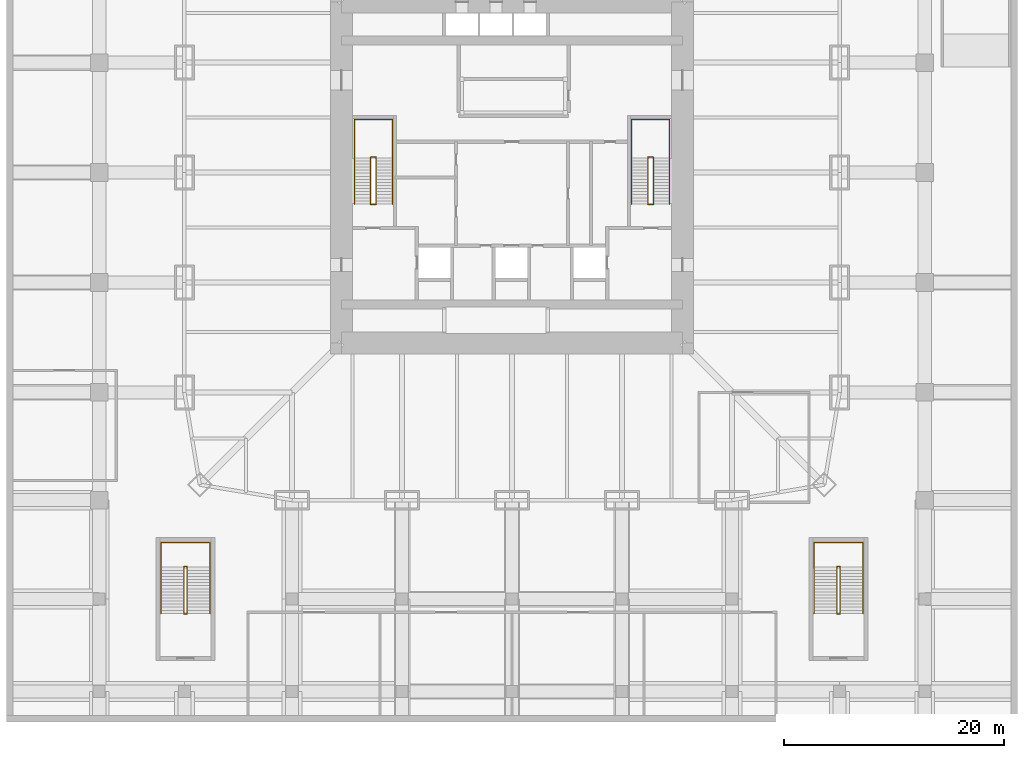
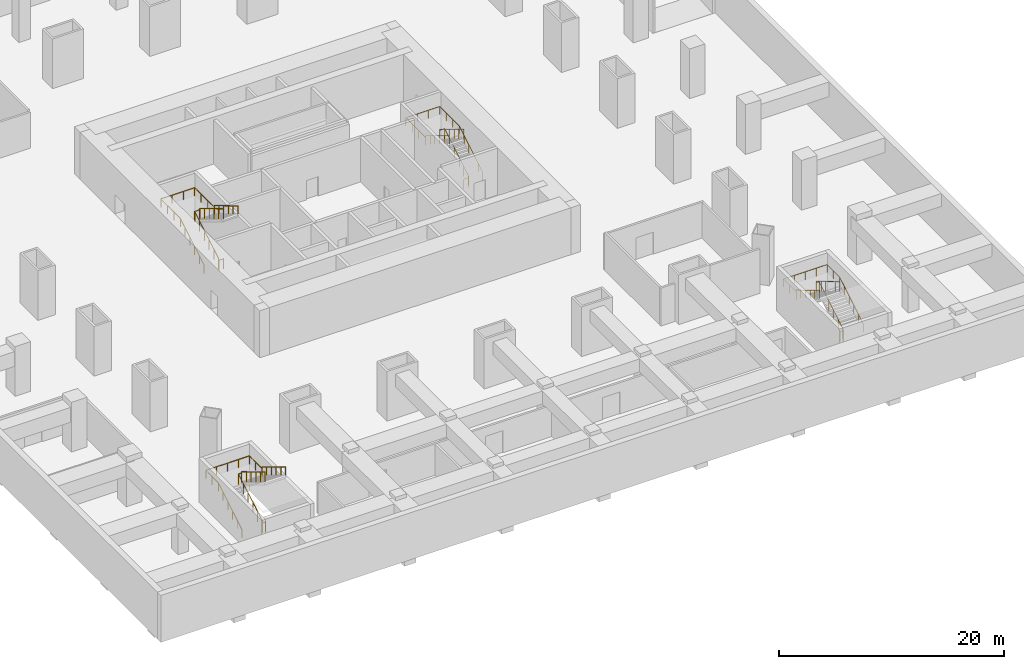
# One storey, part 11 of 12: 8 railings.
"""IFC4 building model written with IfcOpenShell, lengths in metres."""

from ifc_helpers import new_model, si_unit, direction, frame, origin, origin_2d, place, context, subcontext, project, spatial, circle, extrude, material, type_object, element, save


model = new_model("IFC4")

# Units and contexts
model_context = context("Model", 3, precision=1e-05, world=origin(), true_north=direction((0.0, 1.0)))
body_context = subcontext(model_context, "Body", "Model", "MODEL_VIEW")
ifc_project = project(units=[si_unit("LENGTHUNIT", "METRE"), si_unit("AREAUNIT", "SQUARE_METRE"), si_unit("VOLUMEUNIT", "CUBIC_METRE"), si_unit("PLANEANGLEUNIT", "RADIAN"), si_unit("MASSUNIT", "GRAM", prefix="KILO")], contexts=[model_context])

# Site, building, storey
site_placement = place(None, origin())
site = spatial("IfcSite", under=ifc_project, at=site_placement, CompositionType="ELEMENT")
building_placement = place(site_placement, origin())
building = spatial("IfcBuilding", under=site, at=building_placement, Name="Khuree Lantern Residences", CompositionType="ELEMENT")
storey_placement = place(building_placement, frame((0.0, 0.0, -5.39990234375)))
storey = spatial("IfcBuildingStorey", under=building, at=storey_placement, Name="B1", CompositionType="ELEMENT", Elevation=-5.39990234375)

# Railings
ifc_material = material(Name="Steel S355", Category="steel")
railing_type_1 = type_object("IfcRailingType", Name="STAIR GUARD G1 1100", PredefinedType="GUARDRAIL", material=ifc_material)
railing_1_placement = place(storey_placement, frame((-12.35009765625, -2.909912109375, 0.0)))
element("IfcRailing", 1, at=railing_1_placement, inside=storey, type_object=railing_type_1, Name="Stair ST1 guard", PredefinedType="GUARDRAIL", context=body_context, shape_type="SweptSolid", body=[
    extrude(circle(Radius=0.02392578125, at=origin_2d()), frame((0.0, 0.0, 1.076171875), z_axis=(-1.0, 0.0, 0.0), x_axis=(0.0, -1.0, 0.0)), (0.0, 0.0, 1.0), 0.5),
    extrude(circle(Radius=0.02392578125, at=origin_2d()), frame((-0.5, 0.0, 1.076171875), z_axis=(0.0, 0.283143051297, 0.95907768846), x_axis=(-1.0, 0.0, 0.0)), (0.0, 0.0, 1.0), 0.17578125),
    extrude(circle(Radius=0.02392578125, at=origin_2d()), frame((-0.5, 0.0498046875, 1.24462890625), z_axis=(0.0, 0.856489757249, 0.516164020179), x_axis=(-1.0, 0.0, 0.0)), (0.0, 0.0, 1.0), 4.904052734375),
    extrude(circle(Radius=0.02392578125, at=origin_2d()), frame((-0.5, 4.25, 3.77587890625), z_axis=(0.0, 1.0, 0.0), x_axis=(-1.0, 0.0, 0.0)), (0.0, 0.0, 1.0), 0.0498046875),
    extrude(circle(Radius=0.02392578125, at=origin_2d()), frame((-0.5, 4.2998046875, 3.77587890625), z_axis=(1.0, 0.0, 0.0), x_axis=(0.0, 1.0, 0.0)), (0.0, 0.0, 1.0), 0.5),
    extrude(circle(Radius=0.02392578125, at=origin_2d()), frame((0.0, 4.2998046875, 3.77587890625), z_axis=(0.0, -0.283143051297, 0.95907768846), x_axis=(1.0, 0.0, 0.0)), (0.0, 0.0, 1.0), 0.17578125),
    extrude(circle(Radius=0.02392578125, at=origin_2d()), frame((0.0, 4.25, 3.94482421875), z_axis=(0.0, -0.856489757249, 0.516164020179), x_axis=(1.0, 0.0, 0.0)), (0.0, 0.0, 1.0), 4.904052734375),
    extrude(circle(Radius=0.02099609375, at=origin_2d()), origin(), (0.0, 0.0, 1.0), 1.052001953125),
    extrude(circle(Radius=0.02099609375, at=origin_2d()), frame((-0.5, 0.0, 0.0)), (0.0, 0.0, 1.0), 1.052001953125),
    extrude(circle(Radius=0.02099609375, at=origin_2d()), frame((-0.5, 0.0498046875, 0.168701171875)), (0.0, 0.0, 1.0), 1.052001953125),
    extrude(circle(Radius=0.02099609375, at=origin_2d()), frame((-0.5, 0.889892578125, 0.675048828125)), (0.0, 0.0, 1.0), 1.052001953125),
    extrude(circle(Radius=0.02099609375, at=origin_2d()), frame((-0.5, 1.72998046875, 1.18115234375)), (0.0, 0.0, 1.0), 1.052001953125),
    extrude(circle(Radius=0.02099609375, at=origin_2d()), frame((-0.5, 2.56982421875, 1.6875)), (0.0, 0.0, 1.0), 1.052001953125),
    extrude(circle(Radius=0.02099609375, at=origin_2d()), frame((-0.5, 3.409912109375, 2.193603515625)), (0.0, 0.0, 1.0), 1.052001953125),
    extrude(circle(Radius=0.02099609375, at=origin_2d()), frame((-0.5, 4.25, 2.699951171875)), (0.0, 0.0, 1.0), 1.052001953125),
    extrude(circle(Radius=0.02099609375, at=origin_2d()), frame((-0.5, 4.2998046875, 2.699951171875)), (0.0, 0.0, 1.0), 1.052001953125),
    extrude(circle(Radius=0.02099609375, at=origin_2d()), frame((0.0, 4.2998046875, 2.699951171875)), (0.0, 0.0, 1.0), 1.052001953125),
    extrude(circle(Radius=0.02099609375, at=origin_2d()), frame((0.0, 4.25, 2.86865234375)), (0.0, 0.0, 1.0), 1.052001953125),
    extrude(circle(Radius=0.02099609375, at=origin_2d()), frame((0.0, 3.409912109375, 3.375)), (0.0, 0.0, 1.0), 1.052001953125),
    extrude(circle(Radius=0.02099609375, at=origin_2d()), frame((0.0, 2.56982421875, 3.881103515625)), (0.0, 0.0, 1.0), 1.052001953125),
    extrude(circle(Radius=0.02099609375, at=origin_2d()), frame((0.0, 1.72998046875, 4.387451171875)), (0.0, 0.0, 1.0), 1.052001953125),
    extrude(circle(Radius=0.02099609375, at=origin_2d()), frame((0.0, 0.889892578125, 4.8935546875)), (0.0, 0.0, 1.0), 1.052001953125),
    extrude(circle(Radius=0.02099609375, at=origin_2d()), frame((0.0, 0.0498046875, 5.39990234375)), (0.0, 0.0, 1.0), 1.052001953125),
])
railing_2_placement = place(storey_placement, frame((12.35009765625, -2.909912109375, 0.0)))
element("IfcRailing", 2, at=railing_2_placement, inside=storey, type_object=railing_type_1, Name="Stair ST2 guard", PredefinedType="GUARDRAIL", context=body_context, shape_type="SweptSolid", body=[
    extrude(circle(Radius=0.02392578125, at=origin_2d()), frame((0.0, 0.0, 1.076171875), z_axis=(1.0, 0.0, 0.0), x_axis=(0.0, 1.0, 0.0)), (0.0, 0.0, 1.0), 0.5),
    extrude(circle(Radius=0.02392578125, at=origin_2d()), frame((0.5, 0.0, 1.076171875), z_axis=(0.0, 0.283143051297, 0.95907768846), x_axis=(-1.0, 0.0, 0.0)), (0.0, 0.0, 1.0), 0.17578125),
    extrude(circle(Radius=0.02392578125, at=origin_2d()), frame((0.5, 0.0498046875, 1.24462890625), z_axis=(0.0, 0.856489757249, 0.516164020179), x_axis=(-1.0, 0.0, 0.0)), (0.0, 0.0, 1.0), 4.904052734375),
    extrude(circle(Radius=0.02392578125, at=origin_2d()), frame((0.5, 4.25, 3.77587890625), z_axis=(0.0, 1.0, 0.0), x_axis=(-1.0, 0.0, 0.0)), (0.0, 0.0, 1.0), 0.0498046875),
    extrude(circle(Radius=0.02392578125, at=origin_2d()), frame((0.5, 4.2998046875, 3.77587890625), z_axis=(-1.0, 0.0, 0.0), x_axis=(0.0, -1.0, 0.0)), (0.0, 0.0, 1.0), 0.5),
    extrude(circle(Radius=0.02392578125, at=origin_2d()), frame((0.0, 4.2998046875, 3.77587890625), z_axis=(0.0, -0.283143051297, 0.95907768846), x_axis=(1.0, 0.0, 0.0)), (0.0, 0.0, 1.0), 0.17578125),
    extrude(circle(Radius=0.02392578125, at=origin_2d()), frame((0.0, 4.25, 3.94482421875), z_axis=(0.0, -0.856489757249, 0.516164020179), x_axis=(1.0, 0.0, 0.0)), (0.0, 0.0, 1.0), 4.904052734375),
    extrude(circle(Radius=0.02099609375, at=origin_2d()), origin(), (0.0, 0.0, 1.0), 1.052001953125),
    extrude(circle(Radius=0.02099609375, at=origin_2d()), frame((0.5, 0.0, 0.0)), (0.0, 0.0, 1.0), 1.052001953125),
    extrude(circle(Radius=0.02099609375, at=origin_2d()), frame((0.5, 0.0498046875, 0.168701171875)), (0.0, 0.0, 1.0), 1.052001953125),
    extrude(circle(Radius=0.02099609375, at=origin_2d()), frame((0.5, 0.889892578125, 0.675048828125)), (0.0, 0.0, 1.0), 1.052001953125),
    extrude(circle(Radius=0.02099609375, at=origin_2d()), frame((0.5, 1.72998046875, 1.18115234375)), (0.0, 0.0, 1.0), 1.052001953125),
    extrude(circle(Radius=0.02099609375, at=origin_2d()), frame((0.5, 2.56982421875, 1.6875)), (0.0, 0.0, 1.0), 1.052001953125),
    extrude(circle(Radius=0.02099609375, at=origin_2d()), frame((0.5, 3.409912109375, 2.193603515625)), (0.0, 0.0, 1.0), 1.052001953125),
    extrude(circle(Radius=0.02099609375, at=origin_2d()), frame((0.5, 4.25, 2.699951171875)), (0.0, 0.0, 1.0), 1.052001953125),
    extrude(circle(Radius=0.02099609375, at=origin_2d()), frame((0.5, 4.2998046875, 2.699951171875)), (0.0, 0.0, 1.0), 1.052001953125),
    extrude(circle(Radius=0.02099609375, at=origin_2d()), frame((0.0, 4.2998046875, 2.699951171875)), (0.0, 0.0, 1.0), 1.052001953125),
    extrude(circle(Radius=0.02099609375, at=origin_2d()), frame((0.0, 4.25, 2.86865234375)), (0.0, 0.0, 1.0), 1.052001953125),
    extrude(circle(Radius=0.02099609375, at=origin_2d()), frame((0.0, 3.409912109375, 3.375)), (0.0, 0.0, 1.0), 1.052001953125),
    extrude(circle(Radius=0.02099609375, at=origin_2d()), frame((0.0, 2.56982421875, 3.881103515625)), (0.0, 0.0, 1.0), 1.052001953125),
    extrude(circle(Radius=0.02099609375, at=origin_2d()), frame((0.0, 1.72998046875, 4.387451171875)), (0.0, 0.0, 1.0), 1.052001953125),
    extrude(circle(Radius=0.02099609375, at=origin_2d()), frame((0.0, 0.889892578125, 4.8935546875)), (0.0, 0.0, 1.0), 1.052001953125),
    extrude(circle(Radius=0.02099609375, at=origin_2d()), frame((0.0, 0.0498046875, 5.39990234375)), (0.0, 0.0, 1.0), 1.052001953125),
])
railing_3_placement = place(storey_placement, frame((-29.550048828125, -40.14990234375, 0.0)))
element("IfcRailing", 3, at=railing_3_placement, inside=storey, type_object=railing_type_1, Name="Stair ST5 guard", PredefinedType="GUARDRAIL", context=body_context, shape_type="SweptSolid", body=[
    extrude(circle(Radius=0.02392578125, at=origin_2d()), frame((0.0, 0.0, 1.076171875), z_axis=(-1.0, 0.0, 0.0), x_axis=(0.0, -1.0, 0.0)), (0.0, 0.0, 1.0), 0.300048828125),
    extrude(circle(Radius=0.02392578125, at=origin_2d()), frame((-0.300048828125, 0.0, 1.076171875), z_axis=(0.0, 0.283143051297, 0.95907768846), x_axis=(-1.0, 0.0, 0.0)), (0.0, 0.0, 1.0), 0.17578125),
    extrude(circle(Radius=0.02392578125, at=origin_2d()), frame((-0.300048828125, 0.0498046875, 1.24462890625), z_axis=(0.0, 0.856489757249, 0.516164020179), x_axis=(-1.0, 0.0, 0.0)), (0.0, 0.0, 1.0), 4.904052734375),
    extrude(circle(Radius=0.02392578125, at=origin_2d()), frame((-0.300048828125, 4.25, 3.77587890625), z_axis=(0.0, 1.0, 0.0), x_axis=(-1.0, 0.0, 0.0)), (0.0, 0.0, 1.0), 0.0498046875),
    extrude(circle(Radius=0.02392578125, at=origin_2d()), frame((-0.300048828125, 4.2998046875, 3.77587890625), z_axis=(1.0, 0.0, 0.0), x_axis=(0.0, 1.0, 0.0)), (0.0, 0.0, 1.0), 0.300048828125),
    extrude(circle(Radius=0.02392578125, at=origin_2d()), frame((0.0, 4.2998046875, 3.77587890625), z_axis=(0.0, -0.283143051297, 0.95907768846), x_axis=(1.0, 0.0, 0.0)), (0.0, 0.0, 1.0), 0.17578125),
    extrude(circle(Radius=0.02392578125, at=origin_2d()), frame((0.0, 4.25, 3.94482421875), z_axis=(0.0, -0.856489757249, 0.516164020179), x_axis=(1.0, 0.0, 0.0)), (0.0, 0.0, 1.0), 4.904052734375),
    extrude(circle(Radius=0.02099609375, at=origin_2d()), origin(), (0.0, 0.0, 1.0), 1.052001953125),
    extrude(circle(Radius=0.02099609375, at=origin_2d()), frame((-0.300048828125, 0.0, 0.0)), (0.0, 0.0, 1.0), 1.052001953125),
    extrude(circle(Radius=0.02099609375, at=origin_2d()), frame((-0.300048828125, 0.0498046875, 0.168701171875)), (0.0, 0.0, 1.0), 1.052001953125),
    extrude(circle(Radius=0.02099609375, at=origin_2d()), frame((-0.300048828125, 0.889892578125, 0.675048828125)), (0.0, 0.0, 1.0), 1.052001953125),
    extrude(circle(Radius=0.02099609375, at=origin_2d()), frame((-0.300048828125, 1.72998046875, 1.18115234375)), (0.0, 0.0, 1.0), 1.052001953125),
    extrude(circle(Radius=0.02099609375, at=origin_2d()), frame((-0.300048828125, 2.56982421875, 1.6875)), (0.0, 0.0, 1.0), 1.052001953125),
    extrude(circle(Radius=0.02099609375, at=origin_2d()), frame((-0.300048828125, 3.409912109375, 2.193603515625)), (0.0, 0.0, 1.0), 1.052001953125),
    extrude(circle(Radius=0.02099609375, at=origin_2d()), frame((-0.300048828125, 4.25, 2.699951171875)), (0.0, 0.0, 1.0), 1.052001953125),
    extrude(circle(Radius=0.02099609375, at=origin_2d()), frame((-0.300048828125, 4.2998046875, 2.699951171875)), (0.0, 0.0, 1.0), 1.052001953125),
    extrude(circle(Radius=0.02099609375, at=origin_2d()), frame((0.0, 4.2998046875, 2.699951171875)), (0.0, 0.0, 1.0), 1.052001953125),
    extrude(circle(Radius=0.02099609375, at=origin_2d()), frame((0.0, 4.25, 2.86865234375)), (0.0, 0.0, 1.0), 1.052001953125),
    extrude(circle(Radius=0.02099609375, at=origin_2d()), frame((0.0, 3.409912109375, 3.375)), (0.0, 0.0, 1.0), 1.052001953125),
    extrude(circle(Radius=0.02099609375, at=origin_2d()), frame((0.0, 2.56982421875, 3.881103515625)), (0.0, 0.0, 1.0), 1.052001953125),
    extrude(circle(Radius=0.02099609375, at=origin_2d()), frame((0.0, 1.72998046875, 4.387451171875)), (0.0, 0.0, 1.0), 1.052001953125),
    extrude(circle(Radius=0.02099609375, at=origin_2d()), frame((0.0, 0.889892578125, 4.8935546875)), (0.0, 0.0, 1.0), 1.052001953125),
    extrude(circle(Radius=0.02099609375, at=origin_2d()), frame((0.0, 0.0498046875, 5.39990234375)), (0.0, 0.0, 1.0), 1.052001953125),
])
railing_4_placement = place(storey_placement, frame((29.550048828125, -40.14990234375, 0.0)))
element("IfcRailing", 4, at=railing_4_placement, inside=storey, type_object=railing_type_1, Name="Stair ST6 guard", PredefinedType="GUARDRAIL", context=body_context, shape_type="SweptSolid", body=[
    extrude(circle(Radius=0.02392578125, at=origin_2d()), frame((0.0, 0.0, 1.076171875), z_axis=(1.0, 0.0, 0.0), x_axis=(0.0, 1.0, 0.0)), (0.0, 0.0, 1.0), 0.300048828125),
    extrude(circle(Radius=0.02392578125, at=origin_2d()), frame((0.300048828125, 0.0, 1.076171875), z_axis=(0.0, 0.283143051297, 0.95907768846), x_axis=(-1.0, 0.0, 0.0)), (0.0, 0.0, 1.0), 0.17578125),
    extrude(circle(Radius=0.02392578125, at=origin_2d()), frame((0.300048828125, 0.0498046875, 1.24462890625), z_axis=(0.0, 0.856489757249, 0.516164020179), x_axis=(-1.0, 0.0, 0.0)), (0.0, 0.0, 1.0), 4.904052734375),
    extrude(circle(Radius=0.02392578125, at=origin_2d()), frame((0.300048828125, 4.25, 3.77587890625), z_axis=(0.0, 1.0, 0.0), x_axis=(-1.0, 0.0, 0.0)), (0.0, 0.0, 1.0), 0.0498046875),
    extrude(circle(Radius=0.02392578125, at=origin_2d()), frame((0.300048828125, 4.2998046875, 3.77587890625), z_axis=(-1.0, 0.0, 0.0), x_axis=(0.0, -1.0, 0.0)), (0.0, 0.0, 1.0), 0.300048828125),
    extrude(circle(Radius=0.02392578125, at=origin_2d()), frame((0.0, 4.2998046875, 3.77587890625), z_axis=(0.0, -0.283143051297, 0.95907768846), x_axis=(1.0, 0.0, 0.0)), (0.0, 0.0, 1.0), 0.17578125),
    extrude(circle(Radius=0.02392578125, at=origin_2d()), frame((0.0, 4.25, 3.94482421875), z_axis=(0.0, -0.856489757249, 0.516164020179), x_axis=(1.0, 0.0, 0.0)), (0.0, 0.0, 1.0), 4.904052734375),
    extrude(circle(Radius=0.02099609375, at=origin_2d()), origin(), (0.0, 0.0, 1.0), 1.052001953125),
    extrude(circle(Radius=0.02099609375, at=origin_2d()), frame((0.300048828125, 0.0, 0.0)), (0.0, 0.0, 1.0), 1.052001953125),
    extrude(circle(Radius=0.02099609375, at=origin_2d()), frame((0.300048828125, 0.0498046875, 0.168701171875)), (0.0, 0.0, 1.0), 1.052001953125),
    extrude(circle(Radius=0.02099609375, at=origin_2d()), frame((0.300048828125, 0.889892578125, 0.675048828125)), (0.0, 0.0, 1.0), 1.052001953125),
    extrude(circle(Radius=0.02099609375, at=origin_2d()), frame((0.300048828125, 1.72998046875, 1.18115234375)), (0.0, 0.0, 1.0), 1.052001953125),
    extrude(circle(Radius=0.02099609375, at=origin_2d()), frame((0.300048828125, 2.56982421875, 1.6875)), (0.0, 0.0, 1.0), 1.052001953125),
    extrude(circle(Radius=0.02099609375, at=origin_2d()), frame((0.300048828125, 3.409912109375, 2.193603515625)), (0.0, 0.0, 1.0), 1.052001953125),
    extrude(circle(Radius=0.02099609375, at=origin_2d()), frame((0.300048828125, 4.25, 2.699951171875)), (0.0, 0.0, 1.0), 1.052001953125),
    extrude(circle(Radius=0.02099609375, at=origin_2d()), frame((0.300048828125, 4.2998046875, 2.699951171875)), (0.0, 0.0, 1.0), 1.052001953125),
    extrude(circle(Radius=0.02099609375, at=origin_2d()), frame((0.0, 4.2998046875, 2.699951171875)), (0.0, 0.0, 1.0), 1.052001953125),
    extrude(circle(Radius=0.02099609375, at=origin_2d()), frame((0.0, 4.25, 2.86865234375)), (0.0, 0.0, 1.0), 1.052001953125),
    extrude(circle(Radius=0.02099609375, at=origin_2d()), frame((0.0, 3.409912109375, 3.375)), (0.0, 0.0, 1.0), 1.052001953125),
    extrude(circle(Radius=0.02099609375, at=origin_2d()), frame((0.0, 2.56982421875, 3.881103515625)), (0.0, 0.0, 1.0), 1.052001953125),
    extrude(circle(Radius=0.02099609375, at=origin_2d()), frame((0.0, 1.72998046875, 4.387451171875)), (0.0, 0.0, 1.0), 1.052001953125),
    extrude(circle(Radius=0.02099609375, at=origin_2d()), frame((0.0, 0.889892578125, 4.8935546875)), (0.0, 0.0, 1.0), 1.052001953125),
    extrude(circle(Radius=0.02099609375, at=origin_2d()), frame((0.0, 0.0498046875, 5.39990234375)), (0.0, 0.0, 1.0), 1.052001953125),
])
railing_type_2 = type_object("IfcRailingType", Name="STAIR HANDRAIL H1 900", PredefinedType="HANDRAIL", material=ifc_material)
railing_5_placement = place(storey_placement, frame((-14.340087890625, -2.860107421875, 0.168701171875)))
element("IfcRailing", 5, at=railing_5_placement, inside=storey, type_object=railing_type_2, Name="Stair ST1 handrail", PredefinedType="HANDRAIL", context=body_context, shape_type="SweptSolid", body=[
    extrude(circle(Radius=0.02392578125, at=origin_2d()), frame((0.0, 0.0, 0.8759765625), z_axis=(0.0, 0.856489757249, 0.516164020179), x_axis=(-1.0, 0.0, 0.0)), (0.0, 0.0, 1.0), 4.904052734375),
    extrude(circle(Radius=0.02392578125, at=origin_2d()), frame((0.0, 4.2001953125, 3.4072265625), z_axis=(0.0, 1.0, 0.0), x_axis=(-1.0, 0.0, 0.0)), (0.0, 0.0, 1.0), 3.5),
    extrude(circle(Radius=0.02392578125, at=origin_2d()), frame((0.0, 7.7001953125, 3.4072265625), z_axis=(1.0, 0.0, 0.0), x_axis=(0.0, 1.0, 0.0)), (0.0, 0.0, 1.0), 3.47998046875),
    extrude(circle(Radius=0.02392578125, at=origin_2d()), frame((3.47998046875, 7.7001953125, 3.4072265625), z_axis=(0.0, -1.0, 0.0), x_axis=(1.0, 0.0, 0.0)), (0.0, 0.0, 1.0), 3.5),
    extrude(circle(Radius=0.02392578125, at=origin_2d()), frame((3.47998046875, 4.2001953125, 3.4072265625), z_axis=(0.0, 0.0, 1.0), x_axis=(1.0, 0.0, 0.0)), (0.0, 0.0, 1.0), 0.168701171875),
    extrude(circle(Radius=0.02392578125, at=origin_2d()), frame((3.47998046875, 4.2001953125, 3.57568359375), z_axis=(0.0, -0.856489757249, 0.516164020179), x_axis=(1.0, 0.0, 0.0)), (0.0, 0.0, 1.0), 4.904052734375),
    extrude(circle(Radius=0.02099609375, at=origin_2d()), origin(), (0.0, 0.0, 1.0), 0.851806640625),
    extrude(circle(Radius=0.02099609375, at=origin_2d()), frame((0.0, 0.840087890625, 0.50634765625)), (0.0, 0.0, 1.0), 0.851806640625),
    extrude(circle(Radius=0.02099609375, at=origin_2d()), frame((0.0, 1.68017578125, 1.012451171875)), (0.0, 0.0, 1.0), 0.851806640625),
    extrude(circle(Radius=0.02099609375, at=origin_2d()), frame((0.0, 2.52001953125, 1.518798828125)), (0.0, 0.0, 1.0), 0.851806640625),
    extrude(circle(Radius=0.02099609375, at=origin_2d()), frame((0.0, 3.360107421875, 2.02490234375)), (0.0, 0.0, 1.0), 0.851806640625),
    extrude(circle(Radius=0.02099609375, at=origin_2d()), frame((0.0, 4.2001953125, 2.53125)), (0.0, 0.0, 1.0), 0.851806640625),
    extrude(circle(Radius=0.02099609375, at=origin_2d()), frame((0.0, 5.366943359375, 2.53125)), (0.0, 0.0, 1.0), 0.851806640625),
    extrude(circle(Radius=0.02099609375, at=origin_2d()), frame((0.0, 6.533447265625, 2.53125)), (0.0, 0.0, 1.0), 0.851806640625),
    extrude(circle(Radius=0.02099609375, at=origin_2d()), frame((0.0, 7.7001953125, 2.53125)), (0.0, 0.0, 1.0), 0.851806640625),
    extrude(circle(Radius=0.02099609375, at=origin_2d()), frame((1.159912109375, 7.7001953125, 2.53125)), (0.0, 0.0, 1.0), 0.851806640625),
    extrude(circle(Radius=0.02099609375, at=origin_2d()), frame((2.320068359375, 7.7001953125, 2.53125)), (0.0, 0.0, 1.0), 0.851806640625),
    extrude(circle(Radius=0.02099609375, at=origin_2d()), frame((3.47998046875, 7.7001953125, 2.53125)), (0.0, 0.0, 1.0), 0.851806640625),
    extrude(circle(Radius=0.02099609375, at=origin_2d()), frame((3.47998046875, 6.533447265625, 2.53125)), (0.0, 0.0, 1.0), 0.851806640625),
    extrude(circle(Radius=0.02099609375, at=origin_2d()), frame((3.47998046875, 5.366943359375, 2.53125)), (0.0, 0.0, 1.0), 0.851806640625),
    extrude(circle(Radius=0.02099609375, at=origin_2d()), frame((3.47998046875, 4.2001953125, 2.53125)), (0.0, 0.0, 1.0), 0.851806640625),
    extrude(circle(Radius=0.02099609375, at=origin_2d()), frame((3.47998046875, 4.2001953125, 2.699951171875)), (0.0, 0.0, 1.0), 0.851806640625),
    extrude(circle(Radius=0.02099609375, at=origin_2d()), frame((3.47998046875, 3.360107421875, 3.206298828125)), (0.0, 0.0, 1.0), 0.851806640625),
    extrude(circle(Radius=0.02099609375, at=origin_2d()), frame((3.47998046875, 2.52001953125, 3.71240234375)), (0.0, 0.0, 1.0), 0.851806640625),
    extrude(circle(Radius=0.02099609375, at=origin_2d()), frame((3.47998046875, 1.68017578125, 4.21875)), (0.0, 0.0, 1.0), 0.851806640625),
    extrude(circle(Radius=0.02099609375, at=origin_2d()), frame((3.47998046875, 0.840087890625, 4.724853515625)), (0.0, 0.0, 1.0), 0.851806640625),
    extrude(circle(Radius=0.02099609375, at=origin_2d()), frame((3.47998046875, 0.0, 5.231201171875)), (0.0, 0.0, 1.0), 0.851806640625),
])
railing_6_placement = place(storey_placement, frame((14.340087890625, -2.860107421875, 0.168701171875)))
element("IfcRailing", 6, at=railing_6_placement, inside=storey, type_object=railing_type_2, Name="Stair ST2 handrail", PredefinedType="HANDRAIL", context=body_context, shape_type="SweptSolid", body=[
    extrude(circle(Radius=0.02392578125, at=origin_2d()), frame((0.0, 0.0, 0.8759765625), z_axis=(0.0, 0.856489757249, 0.516164020179), x_axis=(-1.0, 0.0, 0.0)), (0.0, 0.0, 1.0), 4.904052734375),
    extrude(circle(Radius=0.02392578125, at=origin_2d()), frame((0.0, 4.2001953125, 3.4072265625), z_axis=(0.0, 1.0, 0.0), x_axis=(-1.0, 0.0, 0.0)), (0.0, 0.0, 1.0), 3.5),
    extrude(circle(Radius=0.02392578125, at=origin_2d()), frame((0.0, 7.7001953125, 3.4072265625), z_axis=(-1.0, 0.0, 0.0), x_axis=(0.0, -1.0, 0.0)), (0.0, 0.0, 1.0), 3.47998046875),
    extrude(circle(Radius=0.02392578125, at=origin_2d()), frame((-3.47998046875, 7.7001953125, 3.4072265625), z_axis=(0.0, -1.0, 0.0), x_axis=(1.0, 0.0, 0.0)), (0.0, 0.0, 1.0), 3.5),
    extrude(circle(Radius=0.02392578125, at=origin_2d()), frame((-3.47998046875, 4.2001953125, 3.4072265625), z_axis=(0.0, 0.0, 1.0), x_axis=(1.0, 0.0, 0.0)), (0.0, 0.0, 1.0), 0.168701171875),
    extrude(circle(Radius=0.02392578125, at=origin_2d()), frame((-3.47998046875, 4.2001953125, 3.57568359375), z_axis=(0.0, -0.856489757249, 0.516164020179), x_axis=(1.0, 0.0, 0.0)), (0.0, 0.0, 1.0), 4.904052734375),
    extrude(circle(Radius=0.02099609375, at=origin_2d()), origin(), (0.0, 0.0, 1.0), 0.851806640625),
    extrude(circle(Radius=0.02099609375, at=origin_2d()), frame((0.0, 0.840087890625, 0.50634765625)), (0.0, 0.0, 1.0), 0.851806640625),
    extrude(circle(Radius=0.02099609375, at=origin_2d()), frame((0.0, 1.68017578125, 1.012451171875)), (0.0, 0.0, 1.0), 0.851806640625),
    extrude(circle(Radius=0.02099609375, at=origin_2d()), frame((0.0, 2.52001953125, 1.518798828125)), (0.0, 0.0, 1.0), 0.851806640625),
    extrude(circle(Radius=0.02099609375, at=origin_2d()), frame((0.0, 3.360107421875, 2.02490234375)), (0.0, 0.0, 1.0), 0.851806640625),
    extrude(circle(Radius=0.02099609375, at=origin_2d()), frame((0.0, 4.2001953125, 2.53125)), (0.0, 0.0, 1.0), 0.851806640625),
    extrude(circle(Radius=0.02099609375, at=origin_2d()), frame((0.0, 5.366943359375, 2.53125)), (0.0, 0.0, 1.0), 0.851806640625),
    extrude(circle(Radius=0.02099609375, at=origin_2d()), frame((0.0, 6.533447265625, 2.53125)), (0.0, 0.0, 1.0), 0.851806640625),
    extrude(circle(Radius=0.02099609375, at=origin_2d()), frame((0.0, 7.7001953125, 2.53125)), (0.0, 0.0, 1.0), 0.851806640625),
    extrude(circle(Radius=0.02099609375, at=origin_2d()), frame((-1.159912109375, 7.7001953125, 2.53125)), (0.0, 0.0, 1.0), 0.851806640625),
    extrude(circle(Radius=0.02099609375, at=origin_2d()), frame((-2.320068359375, 7.7001953125, 2.53125)), (0.0, 0.0, 1.0), 0.851806640625),
    extrude(circle(Radius=0.02099609375, at=origin_2d()), frame((-3.47998046875, 7.7001953125, 2.53125)), (0.0, 0.0, 1.0), 0.851806640625),
    extrude(circle(Radius=0.02099609375, at=origin_2d()), frame((-3.47998046875, 6.533447265625, 2.53125)), (0.0, 0.0, 1.0), 0.851806640625),
    extrude(circle(Radius=0.02099609375, at=origin_2d()), frame((-3.47998046875, 5.366943359375, 2.53125)), (0.0, 0.0, 1.0), 0.851806640625),
    extrude(circle(Radius=0.02099609375, at=origin_2d()), frame((-3.47998046875, 4.2001953125, 2.53125)), (0.0, 0.0, 1.0), 0.851806640625),
    extrude(circle(Radius=0.02099609375, at=origin_2d()), frame((-3.47998046875, 4.2001953125, 2.699951171875)), (0.0, 0.0, 1.0), 0.851806640625),
    extrude(circle(Radius=0.02099609375, at=origin_2d()), frame((-3.47998046875, 3.360107421875, 3.206298828125)), (0.0, 0.0, 1.0), 0.851806640625),
    extrude(circle(Radius=0.02099609375, at=origin_2d()), frame((-3.47998046875, 2.52001953125, 3.71240234375)), (0.0, 0.0, 1.0), 0.851806640625),
    extrude(circle(Radius=0.02099609375, at=origin_2d()), frame((-3.47998046875, 1.68017578125, 4.21875)), (0.0, 0.0, 1.0), 0.851806640625),
    extrude(circle(Radius=0.02099609375, at=origin_2d()), frame((-3.47998046875, 0.840087890625, 4.724853515625)), (0.0, 0.0, 1.0), 0.851806640625),
    extrude(circle(Radius=0.02099609375, at=origin_2d()), frame((-3.47998046875, 0.0, 5.231201171875)), (0.0, 0.0, 1.0), 0.851806640625),
])
railing_7_placement = place(storey_placement, frame((-31.93994140625, -40.10009765625, 0.168701171875)))
element("IfcRailing", 7, at=railing_7_placement, inside=storey, type_object=railing_type_2, Name="Stair ST5 handrail", PredefinedType="HANDRAIL", context=body_context, shape_type="SweptSolid", body=[
    extrude(circle(Radius=0.02392578125, at=origin_2d()), frame((0.0, 0.0, 0.8759765625), z_axis=(0.0, 0.856489757249, 0.516164020179), x_axis=(-1.0, 0.0, 0.0)), (0.0, 0.0, 1.0), 4.904052734375),
    extrude(circle(Radius=0.02392578125, at=origin_2d()), frame((0.0, 4.2001953125, 3.4072265625), z_axis=(0.0, 1.0, 0.0), x_axis=(-1.0, 0.0, 0.0)), (0.0, 0.0, 1.0), 2.239990234375),
    extrude(circle(Radius=0.02392578125, at=origin_2d()), frame((0.0, 6.440185546875, 3.4072265625), z_axis=(1.0, 0.0, 0.0), x_axis=(0.0, 1.0, 0.0)), (0.0, 0.0, 1.0), 4.47998046875),
    extrude(circle(Radius=0.02392578125, at=origin_2d()), frame((4.47998046875, 6.440185546875, 3.4072265625), z_axis=(0.0, -1.0, 0.0), x_axis=(1.0, 0.0, 0.0)), (0.0, 0.0, 1.0), 2.239990234375),
    extrude(circle(Radius=0.02392578125, at=origin_2d()), frame((4.47998046875, 4.2001953125, 3.4072265625), z_axis=(0.0, 0.0, 1.0), x_axis=(1.0, 0.0, 0.0)), (0.0, 0.0, 1.0), 0.168701171875),
    extrude(circle(Radius=0.02392578125, at=origin_2d()), frame((4.47998046875, 4.2001953125, 3.57568359375), z_axis=(0.0, -0.856489757249, 0.516164020179), x_axis=(1.0, 0.0, 0.0)), (0.0, 0.0, 1.0), 4.904052734375),
    extrude(circle(Radius=0.02099609375, at=origin_2d()), origin(), (0.0, 0.0, 1.0), 0.851806640625),
    extrude(circle(Radius=0.02099609375, at=origin_2d()), frame((0.0, 0.840087890625, 0.50634765625)), (0.0, 0.0, 1.0), 0.851806640625),
    extrude(circle(Radius=0.02099609375, at=origin_2d()), frame((0.0, 1.68017578125, 1.012451171875)), (0.0, 0.0, 1.0), 0.851806640625),
    extrude(circle(Radius=0.02099609375, at=origin_2d()), frame((0.0, 2.52001953125, 1.518798828125)), (0.0, 0.0, 1.0), 0.851806640625),
    extrude(circle(Radius=0.02099609375, at=origin_2d()), frame((0.0, 3.360107421875, 2.02490234375)), (0.0, 0.0, 1.0), 0.851806640625),
    extrude(circle(Radius=0.02099609375, at=origin_2d()), frame((0.0, 4.2001953125, 2.53125)), (0.0, 0.0, 1.0), 0.851806640625),
    extrude(circle(Radius=0.02099609375, at=origin_2d()), frame((0.0, 5.3203125, 2.53125)), (0.0, 0.0, 1.0), 0.851806640625),
    extrude(circle(Radius=0.02099609375, at=origin_2d()), frame((0.0, 6.440185546875, 2.53125)), (0.0, 0.0, 1.0), 0.851806640625),
    extrude(circle(Radius=0.02099609375, at=origin_2d()), frame((1.1201171875, 6.440185546875, 2.53125)), (0.0, 0.0, 1.0), 0.851806640625),
    extrude(circle(Radius=0.02099609375, at=origin_2d()), frame((2.239990234375, 6.440185546875, 2.53125)), (0.0, 0.0, 1.0), 0.851806640625),
    extrude(circle(Radius=0.02099609375, at=origin_2d()), frame((3.35986328125, 6.440185546875, 2.53125)), (0.0, 0.0, 1.0), 0.851806640625),
    extrude(circle(Radius=0.02099609375, at=origin_2d()), frame((4.47998046875, 6.440185546875, 2.53125)), (0.0, 0.0, 1.0), 0.851806640625),
    extrude(circle(Radius=0.02099609375, at=origin_2d()), frame((4.47998046875, 5.3203125, 2.53125)), (0.0, 0.0, 1.0), 0.851806640625),
    extrude(circle(Radius=0.02099609375, at=origin_2d()), frame((4.47998046875, 4.2001953125, 2.53125)), (0.0, 0.0, 1.0), 0.851806640625),
    extrude(circle(Radius=0.02099609375, at=origin_2d()), frame((4.47998046875, 4.2001953125, 2.699951171875)), (0.0, 0.0, 1.0), 0.851806640625),
    extrude(circle(Radius=0.02099609375, at=origin_2d()), frame((4.47998046875, 3.360107421875, 3.206298828125)), (0.0, 0.0, 1.0), 0.851806640625),
    extrude(circle(Radius=0.02099609375, at=origin_2d()), frame((4.47998046875, 2.52001953125, 3.71240234375)), (0.0, 0.0, 1.0), 0.851806640625),
    extrude(circle(Radius=0.02099609375, at=origin_2d()), frame((4.47998046875, 1.68017578125, 4.21875)), (0.0, 0.0, 1.0), 0.851806640625),
    extrude(circle(Radius=0.02099609375, at=origin_2d()), frame((4.47998046875, 0.840087890625, 4.724853515625)), (0.0, 0.0, 1.0), 0.851806640625),
    extrude(circle(Radius=0.02099609375, at=origin_2d()), frame((4.47998046875, 0.0, 5.231201171875)), (0.0, 0.0, 1.0), 0.851806640625),
])
railing_8_placement = place(storey_placement, frame((31.93994140625, -40.10009765625, 0.168701171875)))
element("IfcRailing", 8, at=railing_8_placement, inside=storey, type_object=railing_type_2, Name="Stair ST6 handrail", PredefinedType="HANDRAIL", context=body_context, shape_type="SweptSolid", body=[
    extrude(circle(Radius=0.02392578125, at=origin_2d()), frame((0.0, 0.0, 0.8759765625), z_axis=(0.0, 0.856489757249, 0.516164020179), x_axis=(-1.0, 0.0, 0.0)), (0.0, 0.0, 1.0), 4.904052734375),
    extrude(circle(Radius=0.02392578125, at=origin_2d()), frame((0.0, 4.2001953125, 3.4072265625), z_axis=(0.0, 1.0, 0.0), x_axis=(-1.0, 0.0, 0.0)), (0.0, 0.0, 1.0), 2.239990234375),
    extrude(circle(Radius=0.02392578125, at=origin_2d()), frame((0.0, 6.440185546875, 3.4072265625), z_axis=(-1.0, 0.0, 0.0), x_axis=(0.0, -1.0, 0.0)), (0.0, 0.0, 1.0), 4.47998046875),
    extrude(circle(Radius=0.02392578125, at=origin_2d()), frame((-4.47998046875, 6.440185546875, 3.4072265625), z_axis=(0.0, -1.0, 0.0), x_axis=(1.0, 0.0, 0.0)), (0.0, 0.0, 1.0), 2.239990234375),
    extrude(circle(Radius=0.02392578125, at=origin_2d()), frame((-4.47998046875, 4.2001953125, 3.4072265625), z_axis=(0.0, 0.0, 1.0), x_axis=(1.0, 0.0, 0.0)), (0.0, 0.0, 1.0), 0.168701171875),
    extrude(circle(Radius=0.02392578125, at=origin_2d()), frame((-4.47998046875, 4.2001953125, 3.57568359375), z_axis=(0.0, -0.856489757249, 0.516164020179), x_axis=(1.0, 0.0, 0.0)), (0.0, 0.0, 1.0), 4.904052734375),
    extrude(circle(Radius=0.02099609375, at=origin_2d()), origin(), (0.0, 0.0, 1.0), 0.851806640625),
    extrude(circle(Radius=0.02099609375, at=origin_2d()), frame((0.0, 0.840087890625, 0.50634765625)), (0.0, 0.0, 1.0), 0.851806640625),
    extrude(circle(Radius=0.02099609375, at=origin_2d()), frame((0.0, 1.68017578125, 1.012451171875)), (0.0, 0.0, 1.0), 0.851806640625),
    extrude(circle(Radius=0.02099609375, at=origin_2d()), frame((0.0, 2.52001953125, 1.518798828125)), (0.0, 0.0, 1.0), 0.851806640625),
    extrude(circle(Radius=0.02099609375, at=origin_2d()), frame((0.0, 3.360107421875, 2.02490234375)), (0.0, 0.0, 1.0), 0.851806640625),
    extrude(circle(Radius=0.02099609375, at=origin_2d()), frame((0.0, 4.2001953125, 2.53125)), (0.0, 0.0, 1.0), 0.851806640625),
    extrude(circle(Radius=0.02099609375, at=origin_2d()), frame((0.0, 5.3203125, 2.53125)), (0.0, 0.0, 1.0), 0.851806640625),
    extrude(circle(Radius=0.02099609375, at=origin_2d()), frame((0.0, 6.440185546875, 2.53125)), (0.0, 0.0, 1.0), 0.851806640625),
    extrude(circle(Radius=0.02099609375, at=origin_2d()), frame((-1.1201171875, 6.440185546875, 2.53125)), (0.0, 0.0, 1.0), 0.851806640625),
    extrude(circle(Radius=0.02099609375, at=origin_2d()), frame((-2.239990234375, 6.440185546875, 2.53125)), (0.0, 0.0, 1.0), 0.851806640625),
    extrude(circle(Radius=0.02099609375, at=origin_2d()), frame((-3.35986328125, 6.440185546875, 2.53125)), (0.0, 0.0, 1.0), 0.851806640625),
    extrude(circle(Radius=0.02099609375, at=origin_2d()), frame((-4.47998046875, 6.440185546875, 2.53125)), (0.0, 0.0, 1.0), 0.851806640625),
    extrude(circle(Radius=0.02099609375, at=origin_2d()), frame((-4.47998046875, 5.3203125, 2.53125)), (0.0, 0.0, 1.0), 0.851806640625),
    extrude(circle(Radius=0.02099609375, at=origin_2d()), frame((-4.47998046875, 4.2001953125, 2.53125)), (0.0, 0.0, 1.0), 0.851806640625),
    extrude(circle(Radius=0.02099609375, at=origin_2d()), frame((-4.47998046875, 4.2001953125, 2.699951171875)), (0.0, 0.0, 1.0), 0.851806640625),
    extrude(circle(Radius=0.02099609375, at=origin_2d()), frame((-4.47998046875, 3.360107421875, 3.206298828125)), (0.0, 0.0, 1.0), 0.851806640625),
    extrude(circle(Radius=0.02099609375, at=origin_2d()), frame((-4.47998046875, 2.52001953125, 3.71240234375)), (0.0, 0.0, 1.0), 0.851806640625),
    extrude(circle(Radius=0.02099609375, at=origin_2d()), frame((-4.47998046875, 1.68017578125, 4.21875)), (0.0, 0.0, 1.0), 0.851806640625),
    extrude(circle(Radius=0.02099609375, at=origin_2d()), frame((-4.47998046875, 0.840087890625, 4.724853515625)), (0.0, 0.0, 1.0), 0.851806640625),
    extrude(circle(Radius=0.02099609375, at=origin_2d()), frame((-4.47998046875, 0.0, 5.231201171875)), (0.0, 0.0, 1.0), 0.851806640625),
])

save(model, "model.ifc")
